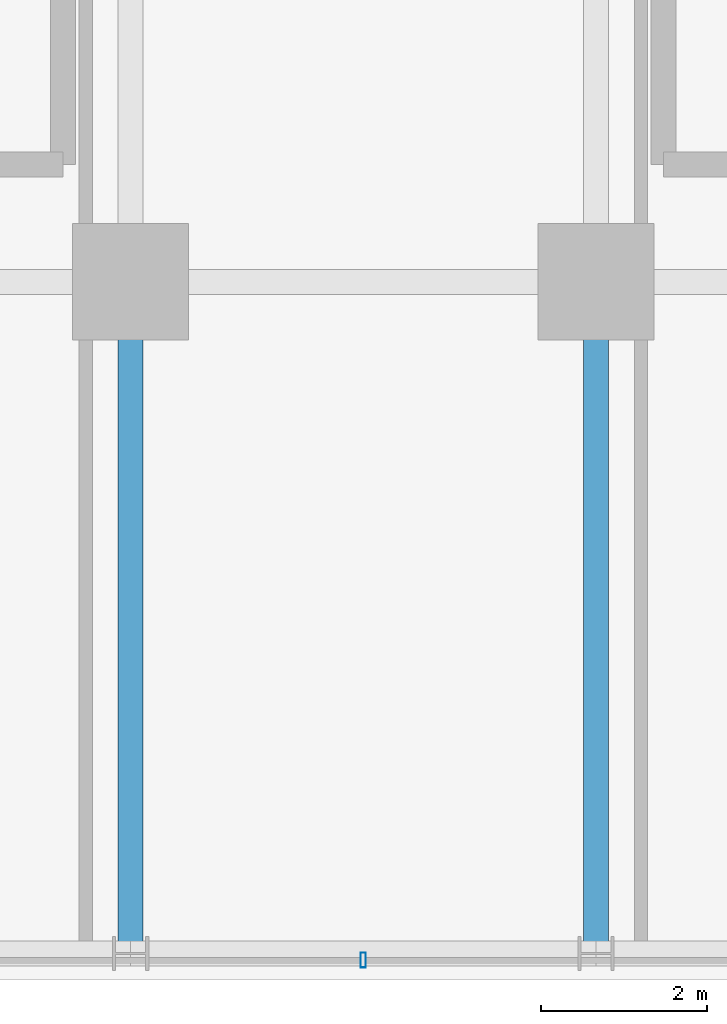
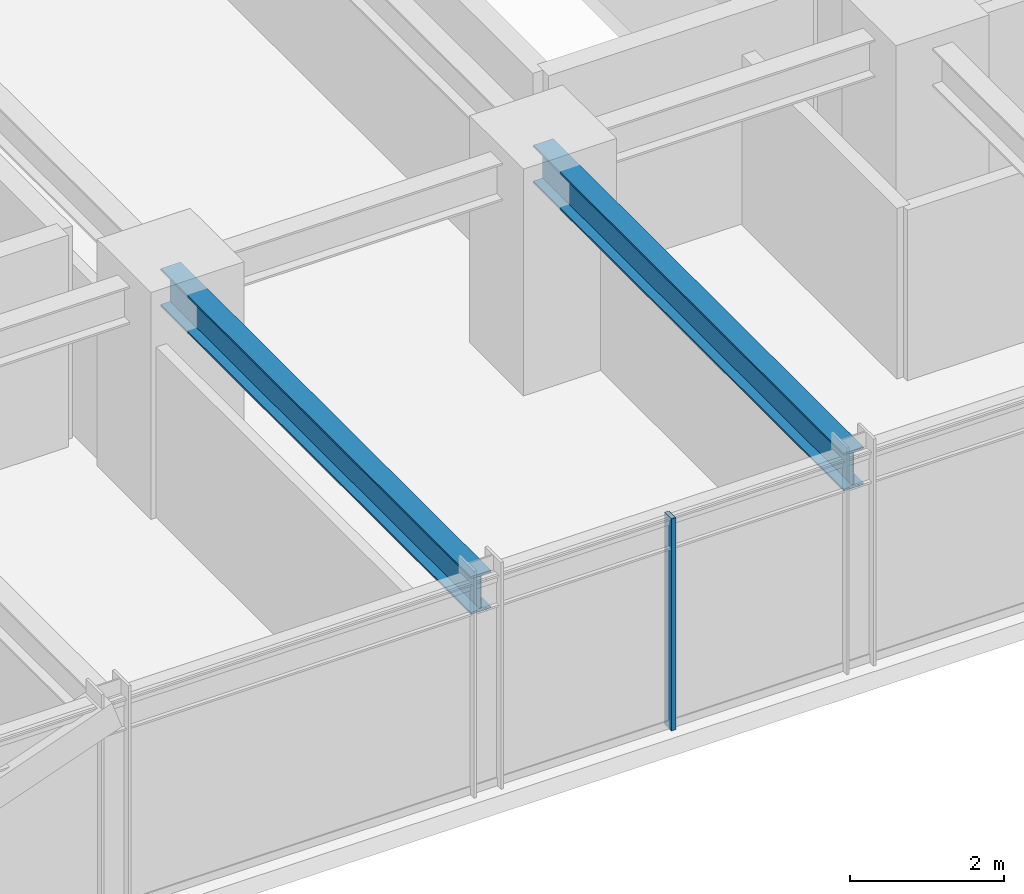
# One storey, part 8 of 39: 2 beams, 1 member, 1 element without a shape of its own.
"""IFC4 building model written with IfcOpenShell, lengths in metres."""

from ifc_helpers import new_model, si_unit, direction, frame, origin, origin_2d, place, context, subcontext, project, spatial, hollow_rectangle, i_section, extrude, source, transform, mapped, material, material_profile, profile_set, type_object, element, aggregate, save


model = new_model("IFC4")

# Units and contexts
model_context = context("Model", 3, precision=1e-05, world=origin(), true_north=direction((0.0, 1.0)))
body_context = subcontext(model_context, "Body", "Model", "MODEL_VIEW")
ifc_project = project(units=[si_unit("LENGTHUNIT", "METRE"), si_unit("AREAUNIT", "SQUARE_METRE"), si_unit("VOLUMEUNIT", "CUBIC_METRE"), si_unit("PLANEANGLEUNIT", "RADIAN"), si_unit("MASSUNIT", "GRAM", prefix="KILO")], contexts=[model_context])

# Site, building, storey
site_placement = place(None, origin())
site = spatial("IfcSite", under=ifc_project, at=site_placement, CompositionType="ELEMENT")
building_placement = place(site_placement, origin())
building = spatial("IfcBuilding", under=site, at=building_placement, Name="Nahalor Promenade Grand Hotel", CompositionType="ELEMENT")
storey_placement = place(building_placement, frame((0.0, 0.0, 32.39990234375)))
storey = spatial("IfcBuildingStorey", under=building, at=storey_placement, Name="L06", CompositionType="ELEMENT", Elevation=32.39990234375)

# Beams
ifc_material_1 = material(Name="Steel S355JR", Category="steel")
ifc_material_profile_1 = material_profile(ifc_material_1, i_section(OverallWidth=0.3, OverallDepth=0.6, WebThickness=0.0155, FlangeThickness=0.03, at=origin_2d()), Name="HEB 600")
ifc_profile_set_1 = profile_set([ifc_material_profile_1], Name="Steel S355JR")
beam_type = type_object("IfcBeamType", Name="Beam-Girder-HEB600", PredefinedType="BEAM", material=ifc_profile_set_1)
shared_shape_1 = source(origin(), body_context, "Body", "SweptSolid", [
    extrude(i_section(OverallWidth=0.3, OverallDepth=0.6, WebThickness=0.0155, FlangeThickness=0.03, at=origin_2d()), origin(), (0.0, 0.0, 1.0), 8.080078125),
])
for number, where, z_axis, x_axis, name in (
    (1, (-2.800048828125, -25.080078125, 3.070068359375), (0.0, 1.0, 0.0), (-1.0, 0.0, 0.0), "BM-L06-GY-2-0"),
    (2, (2.800048828125, -25.080078125, 3.070068359375), (0.0, 1.0, 0.0), (-1.0, 0.0, 0.0), "BM-L06-GY-3-0"),
):
    element("IfcBeam", number, at=place(storey_placement, frame(where, z_axis=z_axis, x_axis=x_axis)), inside=storey, type_object=beam_type, Name=name, PredefinedType="BEAM", context=body_context, shape_type="MappedRepresentation", body=[
        mapped(shared_shape_1, transform((0.0, 0.0, 0.0), scale=1.0)),
    ])

# Curtain wall, member
ifc_material_2 = material(Name="Anodised Bronze Aluminium EN AW-6063 T6", Category="aluminium")
curtain_wall_type = type_object("IfcCurtainWallType", Name="CW2 Typical Hotel Flush Bronze Unitised Curtain Wall", PredefinedType="USERDEFINED", material=ifc_material_2)
curtain_wall_placement = place(storey_placement, origin())
curtain_wall = element("IfcCurtainWall", 3, at=curtain_wall_placement, inside=storey, type_object=curtain_wall_type, Name="L06 Curtain Wall CW-L06-S-1", ObjectType="UNITISED_CURTAIN_WALL", PredefinedType="USERDEFINED")
ifc_material_profile_2 = material_profile(ifc_material_2, hollow_rectangle(XDim=0.065, YDim=0.18, WallThickness=0.004, at=origin_2d()), Name="CWM 65x180x4")
ifc_profile_set_2 = profile_set([ifc_material_profile_2], Name="Anodised Bronze Aluminium EN AW-6063 T6")
member_type = type_object("IfcMemberType", Name="CWM2 Typical Bronze Mullion 65x180", PredefinedType="MULLION", material=ifc_profile_set_2)
shared_shape_2 = source(origin(), body_context, "Body", "SweptSolid", [
    extrude(hollow_rectangle(XDim=0.065, YDim=0.18, WallThickness=0.004, at=origin_2d()), origin(), (0.0, 0.0, 1.0), 3.3701171875),
])
member_placement = place(storey_placement, frame((0.0, -25.159912109375, 0.0), z_axis=(0.0, 0.0, 1.0), x_axis=(1.0, 0.0, 0.0)))
member = element("IfcMember", 4, at=member_placement, type_object=member_type, Name="CW-L06-S-1 Mullion 2", PredefinedType="MULLION", context=body_context, shape_type="MappedRepresentation", body=[
    mapped(shared_shape_2, transform((0.0, 0.0, 0.0), scale=1.0)),
])
aggregate(curtain_wall, [member])

save(model, "model.ifc")
